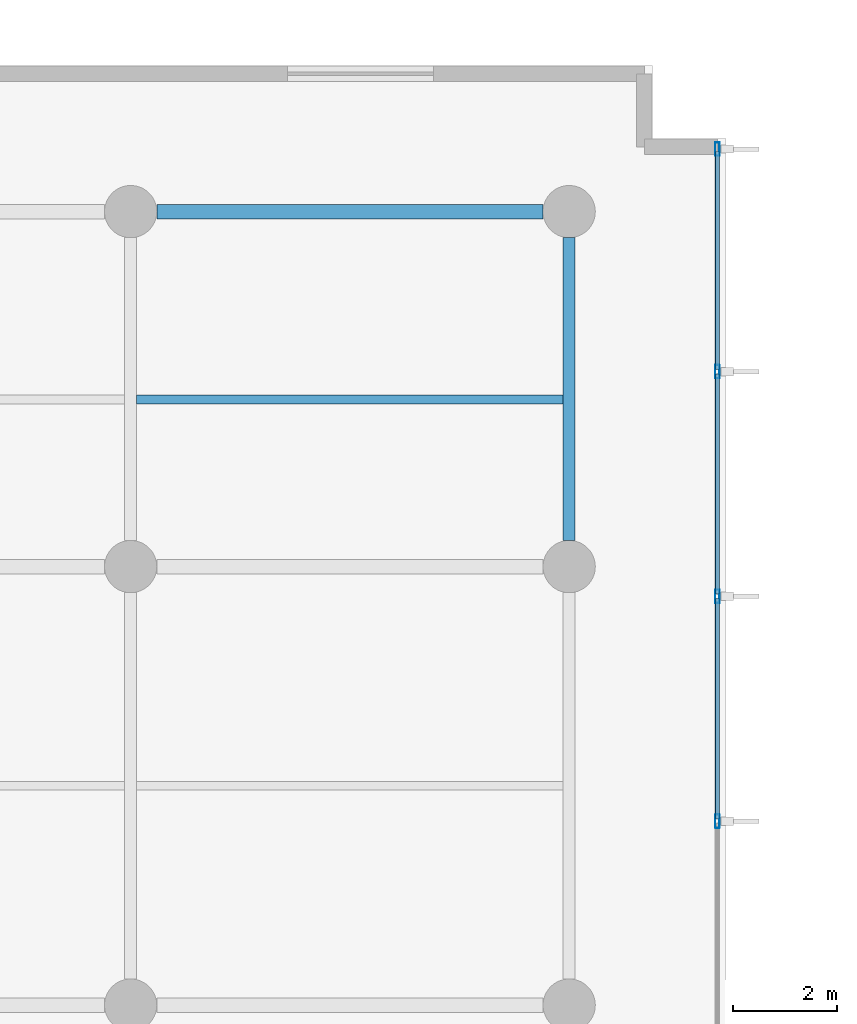
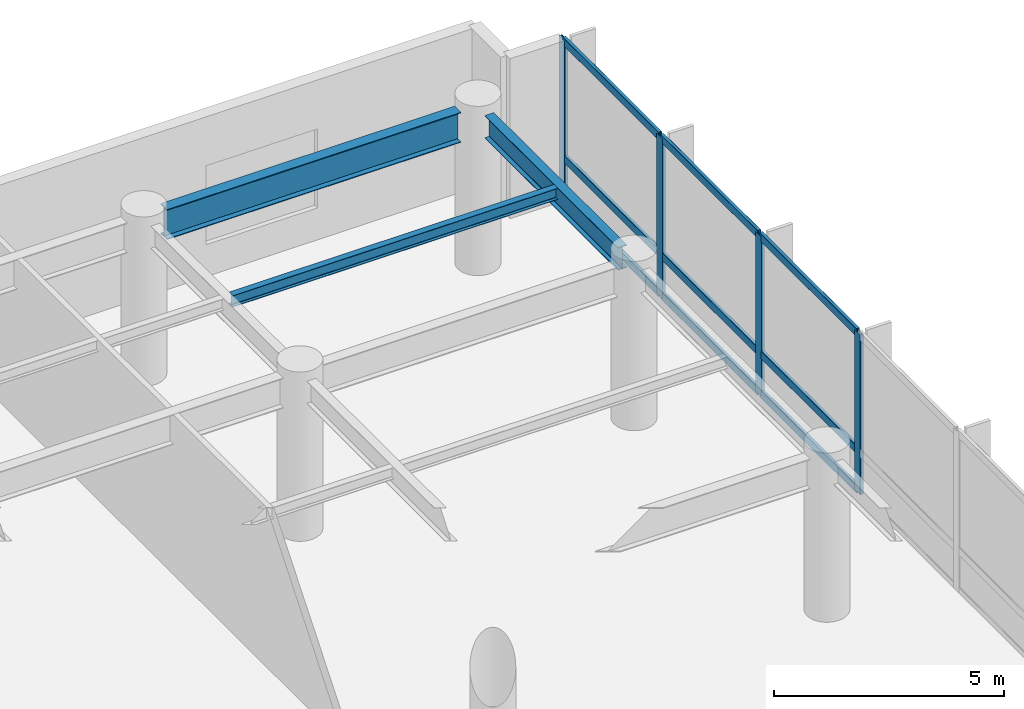
# One storey, part 11 of 26: 13 members, 3 beams, 1 element without a shape of its own.
"""IFC4 building model written with IfcOpenShell, lengths in metres."""

from ifc_helpers import new_model, si_unit, direction, frame, origin, origin_2d, place, context, subcontext, project, spatial, hollow_rectangle, i_section, extrude, material, layer, layer_set, material_profile, profile_set, type_object, element, aggregate, save


model = new_model("IFC4")

# Units and contexts
model_context = context("Model", 3, precision=1e-05, world=origin(), true_north=direction((0.0, 1.0)))
body_context = subcontext(model_context, "Body", "Model", "MODEL_VIEW")
ifc_project = project(units=[si_unit("LENGTHUNIT", "METRE"), si_unit("AREAUNIT", "SQUARE_METRE"), si_unit("VOLUMEUNIT", "CUBIC_METRE"), si_unit("PLANEANGLEUNIT", "RADIAN"), si_unit("MASSUNIT", "GRAM", prefix="KILO")], contexts=[model_context])

# Site, building, storey
site_placement = place(None, origin())
site = spatial("IfcSite", under=ifc_project, at=site_placement, CompositionType="ELEMENT")
building_placement = place(site_placement, origin())
building = spatial("IfcBuilding", under=site, at=building_placement, Name="Varnakote Quay Hospital", CompositionType="ELEMENT")
storey_placement = place(building_placement, origin())
storey = spatial("IfcBuildingStorey", under=building, at=storey_placement, Name="L00", CompositionType="ELEMENT", Elevation=0.0)

# Beams
ifc_material_1 = material(Name="Structural steel AS/NZS 3679.1 Grade 350 L0 (fy 340 MPa)", Category="steel")
ifc_material_profile_1 = material_profile(ifc_material_1, i_section(OverallWidth=0.22802734375, OverallDepth=0.60205078125, WebThickness=0.010498046875, FlangeThickness=0.014892578125, FilletRadius=0.013916015625, at=origin_2d()), Name="610UB101")
ifc_profile_set_1 = profile_set([ifc_material_profile_1], Name="Structural steel AS/NZS 3679.1 Grade 350 L0 (fy 340 MPa)")
beam_type_1 = type_object("IfcBeamType", Name="BM-STL-610UB101", PredefinedType="BEAM", material=ifc_profile_set_1)
beam_1_placement = place(storey_placement, frame((84.0, 37.699951171875, 3.948974609375), z_axis=(0.0, 1.0, 0.0), x_axis=(-1.0, 0.0, 0.0)))
element("IfcBeam", 1, at=beam_1_placement, inside=storey, type_object=beam_type_1, Name="L00 Primary Tie Beam", PredefinedType="BEAM", context=body_context, shape_type="SweptSolid", body=[
    extrude(i_section(OverallWidth=0.22802734375, OverallDepth=0.60205078125, WebThickness=0.010498046875, FlangeThickness=0.014892578125, FilletRadius=0.013916015625, at=origin_2d()), origin(), (0.0, 0.0, 1.0), 5.800048828125),
])
ifc_material_2 = material(Name="Structural steel AS/NZS 3678 Grade 350 (fy 340 MPa)", Category="steel")
ifc_material_profile_2 = material_profile(ifc_material_2, i_section(OverallWidth=0.27490234375, OverallDepth=0.800048828125, WebThickness=0.010009765625, FlangeThickness=0.02001953125, at=origin_2d()), Name="800WB146")
ifc_profile_set_2 = profile_set([ifc_material_profile_2], Name="Structural steel AS/NZS 3678 Grade 350 (fy 340 MPa)")
beam_type_2 = type_object("IfcBeamType", Name="BM-STL-800WB146", PredefinedType="BEAM", material=ifc_profile_set_2)
beam_2_placement = place(storey_placement, frame((76.10009765625, 44.0, 3.85009765625), z_axis=(1.0, 0.0, 0.0), x_axis=(0.0, 1.0, 0.0)))
element("IfcBeam", 2, at=beam_2_placement, inside=storey, type_object=beam_type_2, Name="L00 Primary Floor Beam", PredefinedType="BEAM", context=body_context, shape_type="SweptSolid", body=[
    extrude(i_section(OverallWidth=0.27490234375, OverallDepth=0.800048828125, WebThickness=0.010009765625, FlangeThickness=0.02001953125, at=origin_2d()), origin(), (0.0, 0.0, 1.0), 7.39990234375),
])

# Curtain wall, members
ifc_material_3 = material(Name="Anodised aluminium 6063-T6 Bronze", Category="aluminium")
ifc_layer = layer(ifc_material_3, 0.175048828125)
ifc_layer_set = layer_set([ifc_layer], Name="Anodised aluminium 6063-T6 Bronze")
curtain_wall_type = type_object("IfcCurtainWallType", Name="CW-SYS-1", PredefinedType="NOTDEFINED", material=ifc_layer_set)
curtain_wall_placement = place(storey_placement, origin())
curtain_wall = element("IfcCurtainWall", 3, at=curtain_wall_placement, inside=storey, type_object=curtain_wall_type, Name="L00 Unitised Bronze Curtain Wall 1", PredefinedType="NOTDEFINED")
ifc_material_4 = material(Name="Anodised aluminium 6063-T6 Bronze", Category="aluminium")
ifc_material_profile_3 = material_profile(ifc_material_4, hollow_rectangle(XDim=0.0849609375, YDim=0.260009765625, WallThickness=0.0048828125, InnerFilletRadius=0.0048828125, OuterFilletRadius=0.010009765625, at=origin_2d()), Name="CW-MULL-260x85")
ifc_profile_set_3 = profile_set([ifc_material_profile_3], Name="Anodised aluminium 6063-T6 Bronze")
member_type_1 = type_object("IfcMemberType", Name="CW-MULL-260x85", PredefinedType="MULLION", material=ifc_profile_set_3)
member_1_placement = place(storey_placement, frame((86.840087890625, 32.32275390625, 0.0), z_axis=(0.0, 0.0, 1.0), x_axis=(-1.0, 0.0, 0.0)))
member_1 = element("IfcMember", 4, at=member_1_placement, type_object=member_type_1, Name="-1-L00-1 mullion 5", PredefinedType="MULLION", context=body_context, shape_type="SweptSolid", body=[
    extrude(hollow_rectangle(XDim=0.0849609375, YDim=0.260009765625, WallThickness=0.0048828125, InnerFilletRadius=0.0048828125, OuterFilletRadius=0.010009765625, at=origin_2d()), origin(), (0.0, 0.0, 1.0), 4.25),
])
member_2_placement = place(storey_placement, frame((86.840087890625, 36.628662109375, 0.0), z_axis=(0.0, 0.0, 1.0), x_axis=(-1.0, 0.0, 0.0)))
member_2 = element("IfcMember", 5, at=member_2_placement, type_object=member_type_1, Name="-1-L00-1 mullion 6", PredefinedType="MULLION", context=body_context, shape_type="SweptSolid", body=[
    extrude(hollow_rectangle(XDim=0.0849609375, YDim=0.260009765625, WallThickness=0.0048828125, InnerFilletRadius=0.0048828125, OuterFilletRadius=0.010009765625, at=origin_2d()), origin(), (0.0, 0.0, 1.0), 4.25),
])
member_3_placement = place(storey_placement, frame((86.840087890625, 40.934326171875, 0.0), z_axis=(0.0, 0.0, 1.0), x_axis=(-1.0, 0.0, 0.0)))
member_3 = element("IfcMember", 6, at=member_3_placement, type_object=member_type_1, Name="-1-L00-1 mullion 7", PredefinedType="MULLION", context=body_context, shape_type="SweptSolid", body=[
    extrude(hollow_rectangle(XDim=0.0849609375, YDim=0.260009765625, WallThickness=0.0048828125, InnerFilletRadius=0.0048828125, OuterFilletRadius=0.010009765625, at=origin_2d()), origin(), (0.0, 0.0, 1.0), 4.25),
])
member_4_placement = place(storey_placement, frame((86.840087890625, 45.197509765625, 0.0), z_axis=(0.0, 0.0, 1.0), x_axis=(-1.0, 0.0, 0.0)))
member_4 = element("IfcMember", 7, at=member_4_placement, type_object=member_type_1, Name="-1-L00-1 mullion 8", PredefinedType="MULLION", context=body_context, shape_type="SweptSolid", body=[
    extrude(hollow_rectangle(XDim=0.0849609375, YDim=0.260009765625, WallThickness=0.0048828125, InnerFilletRadius=0.0048828125, OuterFilletRadius=0.010009765625, at=origin_2d()), origin(), (0.0, 0.0, 1.0), 4.25),
])
ifc_material_5 = material(Name="Anodised aluminium 6063-T6 Bronze", Category="aluminium")
ifc_material_profile_4 = material_profile(ifc_material_5, hollow_rectangle(XDim=0.0849609375, YDim=0.2099609375, WallThickness=0.00439453125, InnerFilletRadius=0.00439453125, OuterFilletRadius=0.009033203125, at=origin_2d()), Name="CW-TRAN-210x85")
ifc_profile_set_4 = profile_set([ifc_material_profile_4], Name="Anodised aluminium 6063-T6 Bronze")
member_type_2 = type_object("IfcMemberType", Name="CW-TRAN-210x85", PredefinedType="USERDEFINED", material=ifc_profile_set_4)
member_5_placement = place(storey_placement, frame((86.840087890625, 32.365478515625, 0.04248046875), z_axis=(0.0, 1.0, 0.0), x_axis=(-1.0, 0.0, 0.0)))
member_5 = element("IfcMember", 8, at=member_5_placement, type_object=member_type_2, Name="-1-L00-1 transom 5.1", ObjectType="TRANSOM", PredefinedType="USERDEFINED", context=body_context, shape_type="SweptSolid", body=[
    extrude(hollow_rectangle(XDim=0.0849609375, YDim=0.2099609375, WallThickness=0.00439453125, InnerFilletRadius=0.00439453125, OuterFilletRadius=0.009033203125, at=origin_2d()), origin(), (0.0, 0.0, 1.0), 4.220703125),
])
member_6_placement = place(storey_placement, frame((86.840087890625, 32.365478515625, 1.10009765625), z_axis=(0.0, 1.0, 0.0), x_axis=(-1.0, 0.0, 0.0)))
member_6 = element("IfcMember", 9, at=member_6_placement, type_object=member_type_2, Name="-1-L00-1 transom 5.2", ObjectType="TRANSOM", PredefinedType="USERDEFINED", context=body_context, shape_type="SweptSolid", body=[
    extrude(hollow_rectangle(XDim=0.0849609375, YDim=0.2099609375, WallThickness=0.00439453125, InnerFilletRadius=0.00439453125, OuterFilletRadius=0.009033203125, at=origin_2d()), origin(), (0.0, 0.0, 1.0), 4.220703125),
])
member_7_placement = place(storey_placement, frame((86.840087890625, 32.365478515625, 4.20751953125), z_axis=(0.0, 1.0, 0.0), x_axis=(-1.0, 0.0, 0.0)))
member_7 = element("IfcMember", 10, at=member_7_placement, type_object=member_type_2, Name="-1-L00-1 transom 5.3", ObjectType="TRANSOM", PredefinedType="USERDEFINED", context=body_context, shape_type="SweptSolid", body=[
    extrude(hollow_rectangle(XDim=0.0849609375, YDim=0.2099609375, WallThickness=0.00439453125, InnerFilletRadius=0.00439453125, OuterFilletRadius=0.009033203125, at=origin_2d()), origin(), (0.0, 0.0, 1.0), 4.220703125),
])
member_8_placement = place(storey_placement, frame((86.840087890625, 36.671142578125, 0.04248046875), z_axis=(0.0, 1.0, 0.0), x_axis=(-1.0, 0.0, 0.0)))
member_8 = element("IfcMember", 11, at=member_8_placement, type_object=member_type_2, Name="-1-L00-1 transom 6.1", ObjectType="TRANSOM", PredefinedType="USERDEFINED", context=body_context, shape_type="SweptSolid", body=[
    extrude(hollow_rectangle(XDim=0.0849609375, YDim=0.2099609375, WallThickness=0.00439453125, InnerFilletRadius=0.00439453125, OuterFilletRadius=0.009033203125, at=origin_2d()), origin(), (0.0, 0.0, 1.0), 4.220703125),
])
member_9_placement = place(storey_placement, frame((86.840087890625, 36.671142578125, 1.10009765625), z_axis=(0.0, 1.0, 0.0), x_axis=(-1.0, 0.0, 0.0)))
member_9 = element("IfcMember", 12, at=member_9_placement, type_object=member_type_2, Name="-1-L00-1 transom 6.2", ObjectType="TRANSOM", PredefinedType="USERDEFINED", context=body_context, shape_type="SweptSolid", body=[
    extrude(hollow_rectangle(XDim=0.0849609375, YDim=0.2099609375, WallThickness=0.00439453125, InnerFilletRadius=0.00439453125, OuterFilletRadius=0.009033203125, at=origin_2d()), origin(), (0.0, 0.0, 1.0), 4.220703125),
])
member_10_placement = place(storey_placement, frame((86.840087890625, 36.671142578125, 4.20751953125), z_axis=(0.0, 1.0, 0.0), x_axis=(-1.0, 0.0, 0.0)))
member_10 = element("IfcMember", 13, at=member_10_placement, type_object=member_type_2, Name="-1-L00-1 transom 6.3", ObjectType="TRANSOM", PredefinedType="USERDEFINED", context=body_context, shape_type="SweptSolid", body=[
    extrude(hollow_rectangle(XDim=0.0849609375, YDim=0.2099609375, WallThickness=0.00439453125, InnerFilletRadius=0.00439453125, OuterFilletRadius=0.009033203125, at=origin_2d()), origin(), (0.0, 0.0, 1.0), 4.220703125),
])
member_11_placement = place(storey_placement, frame((86.840087890625, 40.976806640625, 0.04248046875), z_axis=(0.0, 1.0, 0.0), x_axis=(-1.0, 0.0, 0.0)))
member_11 = element("IfcMember", 14, at=member_11_placement, type_object=member_type_2, Name="-1-L00-1 transom 7.1", ObjectType="TRANSOM", PredefinedType="USERDEFINED", context=body_context, shape_type="SweptSolid", body=[
    extrude(hollow_rectangle(XDim=0.0849609375, YDim=0.2099609375, WallThickness=0.00439453125, InnerFilletRadius=0.00439453125, OuterFilletRadius=0.009033203125, at=origin_2d()), origin(), (0.0, 0.0, 1.0), 4.17822265625),
])
member_12_placement = place(storey_placement, frame((86.840087890625, 40.976806640625, 1.10009765625), z_axis=(0.0, 1.0, 0.0), x_axis=(-1.0, 0.0, 0.0)))
member_12 = element("IfcMember", 15, at=member_12_placement, type_object=member_type_2, Name="-1-L00-1 transom 7.2", ObjectType="TRANSOM", PredefinedType="USERDEFINED", context=body_context, shape_type="SweptSolid", body=[
    extrude(hollow_rectangle(XDim=0.0849609375, YDim=0.2099609375, WallThickness=0.00439453125, InnerFilletRadius=0.00439453125, OuterFilletRadius=0.009033203125, at=origin_2d()), origin(), (0.0, 0.0, 1.0), 4.17822265625),
])
member_13_placement = place(storey_placement, frame((86.840087890625, 40.976806640625, 4.20751953125), z_axis=(0.0, 1.0, 0.0), x_axis=(-1.0, 0.0, 0.0)))
member_13 = element("IfcMember", 16, at=member_13_placement, type_object=member_type_2, Name="-1-L00-1 transom 7.3", ObjectType="TRANSOM", PredefinedType="USERDEFINED", context=body_context, shape_type="SweptSolid", body=[
    extrude(hollow_rectangle(XDim=0.0849609375, YDim=0.2099609375, WallThickness=0.00439453125, InnerFilletRadius=0.00439453125, OuterFilletRadius=0.009033203125, at=origin_2d()), origin(), (0.0, 0.0, 1.0), 4.17822265625),
])
aggregate(curtain_wall, [member_1, member_2, member_3, member_4, member_5, member_6, member_7, member_8, member_9, member_10, member_11, member_12, member_13])

# Beam
ifc_material_6 = material(Name="Structural steel AS/NZS 3679.1 Grade 350 L0 (fy 340 MPa)", Category="steel")
ifc_material_profile_5 = material_profile(ifc_material_6, i_section(OverallWidth=0.1650390625, OverallDepth=0.303955078125, WebThickness=0.006103515625, FlangeThickness=0.01025390625, FilletRadius=0.011474609375, at=origin_2d()), Name="310UB40.4")
ifc_profile_set_5 = profile_set([ifc_material_profile_5], Name="Structural steel AS/NZS 3679.1 Grade 350 L0 (fy 340 MPa)")
beam_type_3 = type_object("IfcBeamType", Name="JST-STL-310UB40-4", PredefinedType="JOIST", material=ifc_profile_set_5)
beam_3_placement = place(storey_placement, frame((75.714111328125, 40.39990234375, 4.097900390625), z_axis=(1.0, 0.0, 0.0), x_axis=(0.0, 1.0, 0.0)))
element("IfcBeam", 17, at=beam_3_placement, inside=storey, type_object=beam_type_3, Name="L00 Composite Floor Joist", PredefinedType="JOIST", context=body_context, shape_type="SweptSolid", body=[
    extrude(i_section(OverallWidth=0.1650390625, OverallDepth=0.303955078125, WebThickness=0.006103515625, FlangeThickness=0.01025390625, FilletRadius=0.011474609375, at=origin_2d()), origin(), (0.0, 0.0, 1.0), 8.171875),
])

save(model, "model.ifc")
